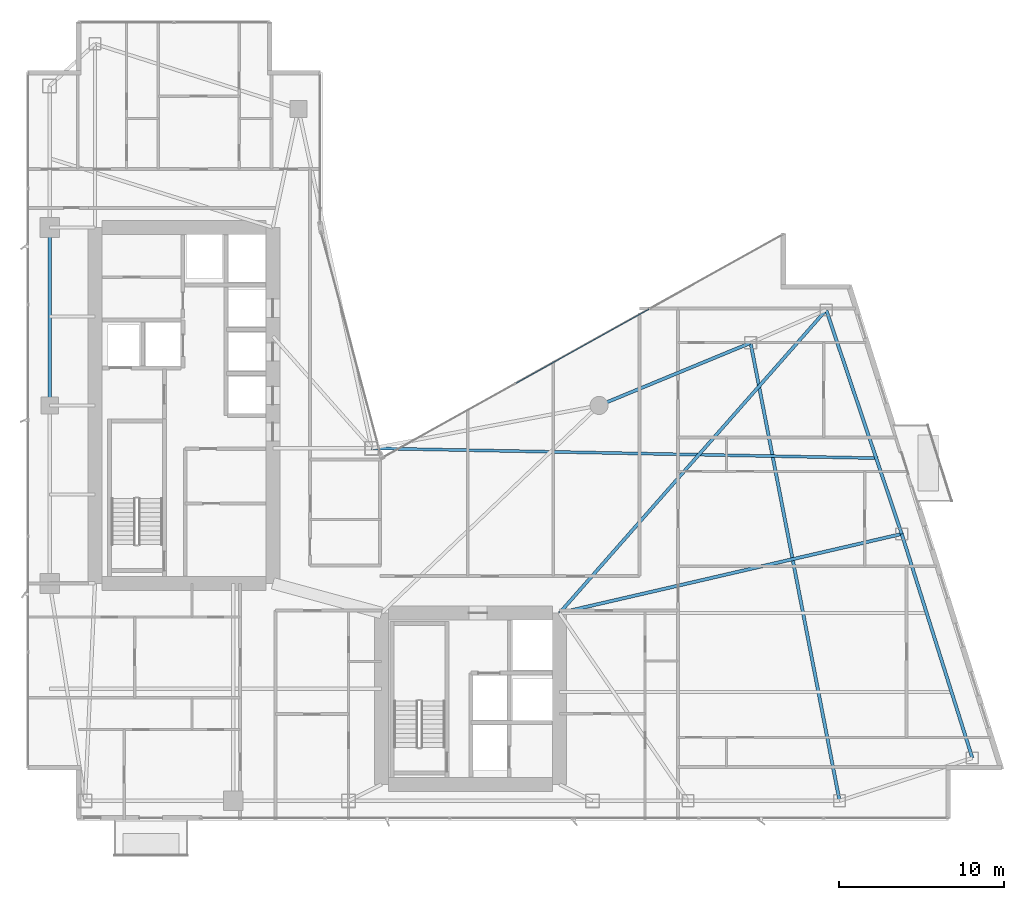
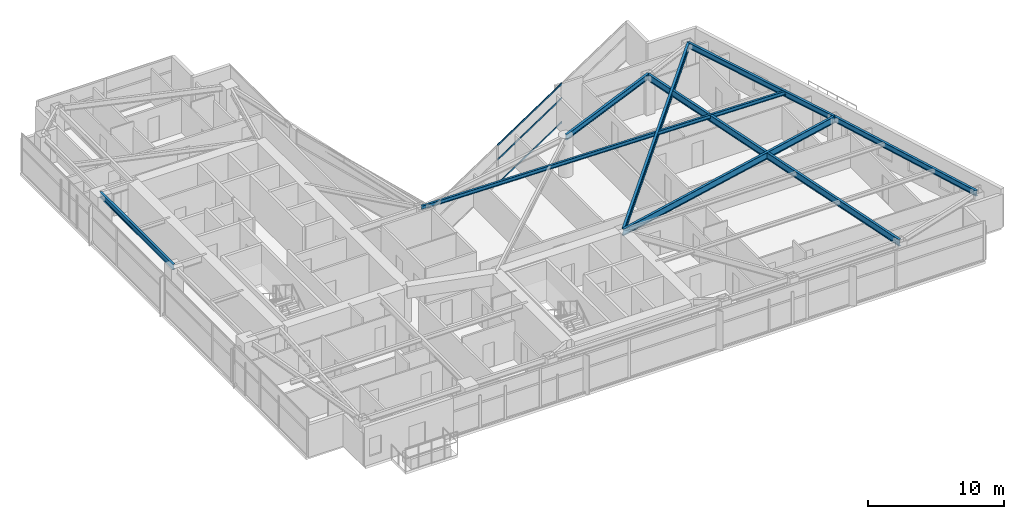
# One storey, part 15 of 28: 8 beams, 3 members, 1 element without a shape of its own.
"""IFC4 building model written with IfcOpenShell, lengths in metres."""

import ifcopenshell
import ifcopenshell.guid

model = None  # the IFC model being written
_history = None  # IfcOwnerHistory: only IFC2X3 demands one
_inside = {}  # id of a spatial element -> (the spatial element, [elements in it])
_under = {}  # id of a project, library or spatial element -> (it, [spatial elements below it])
_declared = {}  # id of a project -> (the project, [libraries it declares])
_typed = {}  # id of a type object -> (the type object, [elements of that type])
_made_of = {}  # id of a material, layer set ... -> (it, [elements and type objects made of it])


def new_model(schema):
    """Start an empty IFC model of exactly this schema.

    Asked for "IFC4X3", IfcOpenShell would pick the latest addendum, in which some entities
    have other attributes; the version numbers below select the first issue.
    IFC2X3 requires an IfcOwnerHistory on every rooted entity: one is made here for all.
    """
    global model, _history
    if schema == "IFC4X3":
        model = ifcopenshell.file(schema_version=(4, 3, 0, 0))
    else:
        model = ifcopenshell.file(schema=schema)
    _inside.clear()
    _under.clear()
    _declared.clear()
    _typed.clear()
    _made_of.clear()
    _history = None
    if model.schema == "IFC2X3":
        org = make("IfcOrganization", Name="unknown")
        user = make(
            "IfcPersonAndOrganization",
            ThePerson=make("IfcPerson", FamilyName="unknown"),
            TheOrganization=org,
        )
        app = make(
            "IfcApplication",
            ApplicationDeveloper=org,
            Version="unknown",
            ApplicationFullName="unknown",
            ApplicationIdentifier="unknown",
        )
        _history = make(
            "IfcOwnerHistory",
            OwningUser=user,
            OwningApplication=app,
            ChangeAction="ADDED",
            CreationDate=0,
        )
    return model


def make(cls, **values):
    """One entity of the class cls with the attributes given. An attribute that is None is left unset."""
    return model.create_entity(
        cls, **{name: value for name, value in values.items() if value is not None}
    )


def rooted(cls, **values):
    """An entity with a GlobalId (a new one), such as an element, a storey or a relation."""
    return make(cls, GlobalId=ifcopenshell.guid.new(), OwnerHistory=_history, **values)


def si_unit(unit_type, name, prefix=None):
    """IfcSIUnit, for example si_unit("LENGTHUNIT", "METRE", prefix="MILLI")."""
    return make("IfcSIUnit", UnitType=unit_type, Prefix=prefix, Name=name)


def assignment(units):
    """IfcUnitAssignment: the units of a project."""
    return None if units is None else make("IfcUnitAssignment", Units=units)


def point(xyz):
    """IfcCartesianPoint."""
    return None if xyz is None else make("IfcCartesianPoint", Coordinates=xyz)


def direction(xyz):
    """IfcDirection."""
    return None if xyz is None else make("IfcDirection", DirectionRatios=xyz)


def frame(location, z_axis=None, x_axis=None):
    """IfcAxis2Placement3D, a coordinate frame: its origin and axes. An axis left out is left unset."""
    return make(
        "IfcAxis2Placement3D",
        Location=point(location),
        Axis=direction(z_axis),
        RefDirection=direction(x_axis),
    )


def frame_2d(location, x_axis=None):
    """IfcAxis2Placement2D, a coordinate frame in the plane: its origin and x axis."""
    return make(
        "IfcAxis2Placement2D", Location=point(location), RefDirection=direction(x_axis)
    )


def origin():
    """The frame at (0, 0, 0) with its axes left unset."""
    return frame((0.0, 0.0, 0.0))


def origin_2d():
    """The frame at (0, 0) in the plane with its x axis left unset."""
    return frame_2d((0.0, 0.0))


def place(relative_to, where):
    """IfcLocalPlacement: puts the frame where relative to a parent placement (None: the world)."""
    return make(
        "IfcLocalPlacement", PlacementRelTo=relative_to, RelativePlacement=where
    )


def context(
    kind, dimensions, precision=None, world=None, true_north=None, identifier=None
):
    """IfcGeometricRepresentationContext, for example the 3D "Model" context."""
    return make(
        "IfcGeometricRepresentationContext",
        ContextIdentifier=identifier,
        ContextType=kind,
        CoordinateSpaceDimension=dimensions,
        Precision=precision,
        WorldCoordinateSystem=world,
        TrueNorth=true_north,
    )


def subcontext(parent, identifier, kind, view, scale=None):
    """IfcGeometricRepresentationSubContext, for example "Body" below "Model"."""
    return make(
        "IfcGeometricRepresentationSubContext",
        ContextIdentifier=identifier,
        ContextType=kind,
        ParentContext=parent,
        TargetScale=scale,
        TargetView=view,
    )


def project(units=None, contexts=None):
    """IfcProject with its units and contexts."""
    return rooted(
        "IfcProject",
        Name="project",
        RepresentationContexts=contexts,
        UnitsInContext=assignment(units),
    )


def spatial(cls, under=None, at=None, **own):
    """A site, building, storey or space (cls), placed at a placement, below another one or the project."""
    s = rooted(cls, ObjectPlacement=at, **own)
    if under is not None:
        _under.setdefault(under.id(), (under, []))[1].append(s)
    return s


def profile(cls, at=None, kind="AREA", **sizes):
    """A parametric profile (cls). Its sizes go by their IFC names, for example OverallWidth=200.0."""
    return make(cls, ProfileType=kind, Position=at, **sizes)


def hollow_rectangle(**sizes):
    """IfcRectangleHollowProfileDef."""
    return profile("IfcRectangleHollowProfileDef", **sizes)


def i_section(**sizes):
    """IfcIShapeProfileDef."""
    return profile("IfcIShapeProfileDef", **sizes)


def extrude(swept, where, along, depth):
    """IfcExtrudedAreaSolid: the profile swept, set in the frame where, extruded along a direction by depth."""
    return make(
        "IfcExtrudedAreaSolid",
        SweptArea=swept,
        Position=where,
        ExtrudedDirection=direction(along),
        Depth=depth,
    )


def shape(context_of_items, identifier, shape_type, items):
    """IfcShapeRepresentation: the items that make up one representation, for example the "Body"."""
    return make(
        "IfcShapeRepresentation",
        ContextOfItems=context_of_items,
        RepresentationIdentifier=identifier,
        RepresentationType=shape_type,
        Items=items,
    )


def material(Name=None, Category=None):
    """IfcMaterial."""
    return make("IfcMaterial", Name=Name, Category=Category)


def layer(
    of_material, thickness, ventilated=None, Name=None, Category=None, Priority=None
):
    """IfcMaterialLayer: one layer of a wall or slab, of a material (None: an air gap)."""
    return make(
        "IfcMaterialLayer",
        Material=of_material,
        LayerThickness=thickness,
        IsVentilated=ventilated,
        Name=Name,
        Category=Category,
        Priority=Priority,
    )


def layer_set(layers, Name=None):
    """IfcMaterialLayerSet."""
    return make("IfcMaterialLayerSet", MaterialLayers=layers, LayerSetName=Name)


def material_profile(
    of_material, cross_section, Name=None, Category=None, Priority=None
):
    """IfcMaterialProfile: a cross section and its material."""
    return make(
        "IfcMaterialProfile",
        Name=Name,
        Material=of_material,
        Profile=cross_section,
        Priority=Priority,
        Category=Category,
    )


def profile_set(profiles, Name=None, composite=None):
    """IfcMaterialProfileSet."""
    return make(
        "IfcMaterialProfileSet",
        Name=Name,
        MaterialProfiles=profiles,
        CompositeProfile=composite,
    )


def made_of(thing, what):
    """Note that an element or type object is made of a material, layer set ...; save() writes the relation."""
    if what is not None:
        _made_of.setdefault(what.id(), (what, []))[1].append(thing)
    return thing


def type_object(cls, material=None, **own):
    """A type object (cls), such as IfcWallType, which elements share."""
    return made_of(rooted(cls, **own), material)


def element(
    cls,
    number,
    at=None,
    inside=None,
    cuts=None,
    type_object=None,
    material=None,
    context=None,
    identifier="Body",
    shape_type=None,
    held_by="IfcProductDefinitionShape",
    body=None,
    shapes=None,
    **own,
):
    """One element of the class cls, such as IfcWall. Its Tag is "e" and its number.

    at: its placement. inside: the storey or other place that contains it. cuts: it is an
    opening in that element (IfcRelVoidsElement). A single representation is given by context,
    identifier, shape_type and body (its items); several are given by shapes. held_by: the class
    of the entity that holds the representations. save() writes the other relations.
    """
    e = rooted(cls, Tag="e%d" % number, ObjectPlacement=at, **own)
    if body is not None:
        shapes = [shape(context, identifier, shape_type, body)]
    if shapes is not None:
        e.Representation = make(held_by, Representations=shapes)
    if inside is not None:
        _inside.setdefault(inside.id(), (inside, []))[1].append(e)
    if cuts is not None:
        rooted(
            "IfcRelVoidsElement", RelatingBuildingElement=cuts, RelatedOpeningElement=e
        )
    if type_object is not None:
        _typed.setdefault(type_object.id(), (type_object, []))[1].append(e)
    return made_of(e, material)


def aggregate(whole, parts):
    """IfcRelAggregates: a whole, such as a stair, and the parts it consists of."""
    return rooted("IfcRelAggregates", RelatingObject=whole, RelatedObjects=parts)


def save(model, path):
    """Write the relations noted so far, then the file.

    IfcRelAggregates (storeys below a building ...), IfcRelContainedInSpatialStructure (elements
    in a storey), IfcRelDefinesByType, IfcRelAssociatesMaterial and IfcRelDeclares: one each for
    every whole, place, type object, material and project.
    """
    for whole, parts in _under.values():
        aggregate(whole, parts)
    for where, things in _inside.values():
        rooted(
            "IfcRelContainedInSpatialStructure",
            RelatedElements=things,
            RelatingStructure=where,
        )
    for kind, things in _typed.values():
        rooted("IfcRelDefinesByType", RelatedObjects=things, RelatingType=kind)
    for what, things in _made_of.values():
        rooted("IfcRelAssociatesMaterial", RelatedObjects=things, RelatingMaterial=what)
    for by, libraries in _declared.values():
        rooted("IfcRelDeclares", RelatingContext=by, RelatedDefinitions=libraries)
    model.write(path)


model = new_model("IFC4")

# Units and contexts
model_context = context("Model", 3, precision=1e-05, world=origin(), true_north=direction((0.0, 1.0)))
body_context = subcontext(model_context, "Body", "Model", "MODEL_VIEW")
ifc_project = project(units=[si_unit("LENGTHUNIT", "METRE"), si_unit("AREAUNIT", "SQUARE_METRE"), si_unit("VOLUMEUNIT", "CUBIC_METRE"), si_unit("PLANEANGLEUNIT", "RADIAN"), si_unit("MASSUNIT", "GRAM", prefix="KILO")], contexts=[model_context])

# Site, building, storey
site_placement = place(None, origin())
site = spatial("IfcSite", under=ifc_project, at=site_placement, CompositionType="ELEMENT")
building_placement = place(site_placement, origin())
building = spatial("IfcBuilding", under=site, at=building_placement, Name="Calvorn Quay Hotel", CompositionType="ELEMENT")
storey_placement = place(building_placement, frame((0.0, 0.0, 182.699951171875)))
storey = spatial("IfcBuildingStorey", under=building, at=storey_placement, Name="L45", CompositionType="ELEMENT", Elevation=182.699951171875)

# Beams
ifc_material_1 = material(Name="Steel Q355B", Category="steel")
ifc_material_profile_1 = material_profile(ifc_material_1, i_section(OverallWidth=0.199951171875, OverallDepth=0.60009765625, WebThickness=0.010986328125, FlangeThickness=0.01708984375, FilletRadius=0.01806640625, at=origin_2d()), Name="HN600x200x11x17")
ifc_profile_set_1 = profile_set([ifc_material_profile_1], Name="Steel Q355B")
beam_type_1 = type_object("IfcBeamType", Name="BM-GIRD-TYP", PredefinedType="BEAM", material=ifc_profile_set_1)
beam_1_placement = place(storey_placement, frame((32.39990234375, 15.0, 3.219970703125), z_axis=(0.974334045812, 0.225107012711, 0.0), x_axis=(-0.225107012711, 0.974334045812, 0.0)))
element("IfcBeam", 1, at=beam_1_placement, inside=storey, type_object=beam_type_1, Name="Beam BG-L45-E2", PredefinedType="BEAM", context=body_context, shape_type="SweptSolid", body=[
    extrude(i_section(OverallWidth=0.199951171875, OverallDepth=0.60009765625, WebThickness=0.010986328125, FlangeThickness=0.01708984375, FilletRadius=0.01806640625, at=origin_2d()), origin(), (0.0, 0.0, 1.0), 21.323486328125),
])
beam_2_placement = place(storey_placement, frame((32.39990234375, 15.0, 3.219970703125), z_axis=(0.660610604248, 0.750728732336, 0.0), x_axis=(-0.750728732336, 0.660610604248, 0.0)))
element("IfcBeam", 2, at=beam_2_placement, inside=storey, type_object=beam_type_1, Name="Beam BG-L45-E3", PredefinedType="BEAM", context=body_context, shape_type="SweptSolid", body=[
    extrude(i_section(OverallWidth=0.199951171875, OverallDepth=0.60009765625, WebThickness=0.010986328125, FlangeThickness=0.01708984375, FilletRadius=0.01806640625, at=origin_2d()), origin(), (0.0, 0.0, 1.0), 24.50927734375),
])
beam_3_placement = place(storey_placement, frame((49.39990234375, 3.60009765625, 3.219970703125), z_axis=(-0.190678596862, 0.981652521363, 0.0), x_axis=(-0.981652521363, -0.190678596862, 0.0)))
element("IfcBeam", 3, at=beam_3_placement, inside=storey, type_object=beam_type_1, Name="Beam BG-L45-E5", PredefinedType="BEAM", context=body_context, shape_type="SweptSolid", body=[
    extrude(i_section(OverallWidth=0.199951171875, OverallDepth=0.60009765625, WebThickness=0.010986328125, FlangeThickness=0.01708984375, FilletRadius=0.01806640625, at=origin_2d()), origin(), (0.0, 0.0, 1.0), 28.3193359375),
])
ifc_material_2 = material(Name="Steel Q355B", Category="steel")
ifc_material_profile_2 = material_profile(ifc_material_2, i_section(OverallWidth=0.175048828125, OverallDepth=0.35009765625, WebThickness=0.007080078125, FlangeThickness=0.010986328125, FilletRadius=0.013916015625, at=origin_2d()), Name="HN350x175x7x11")
ifc_profile_set_2 = profile_set([ifc_material_profile_2], Name="Steel Q355B")
beam_type_2 = type_object("IfcBeamType", Name="BM-JOIST-SEC", PredefinedType="JOIST", material=ifc_profile_set_2)
beam_4_placement = place(storey_placement, frame((21.0, 25.0, 3.344970703125), z_axis=(0.999809345134, -0.019526222968, 0.0), x_axis=(0.019526222968, 0.999809345134, 0.0)))
element("IfcBeam", 4, at=beam_4_placement, inside=storey, type_object=beam_type_2, Name="Beam BJ-L45-E3", PredefinedType="JOIST", context=body_context, shape_type="SweptSolid", body=[
    extrude(i_section(OverallWidth=0.175048828125, OverallDepth=0.35009765625, WebThickness=0.007080078125, FlangeThickness=0.010986328125, FilletRadius=0.013916015625, at=origin_2d()), origin(), (0.0, 0.0, 1.0), 30.73291015625),
])
ifc_material_3 = material(Name="Steel Q355B", Category="steel")
ifc_material_profile_3 = material_profile(ifc_material_3, i_section(OverallWidth=0.199951171875, OverallDepth=0.5, WebThickness=0.010009765625, FlangeThickness=0.01611328125, FilletRadius=0.01611328125, at=origin_2d()), Name="HN500x200x10x16")
ifc_profile_set_3 = profile_set([ifc_material_profile_3], Name="Steel Q355B")
beam_type_3 = type_object("IfcBeamType", Name="BM-SPANDREL-Z1", PredefinedType="SPANDREL", material=ifc_profile_set_3)
beam_5_placement = place(storey_placement, frame((1.449951171875, 27.60009765625, 3.27001953125), z_axis=(0.0, 1.0, 0.0), x_axis=(-1.0, 0.0, 0.0)))
element("IfcBeam", 5, at=beam_5_placement, inside=storey, type_object=beam_type_3, Name="Beam BSP-L45-W3", PredefinedType="SPANDREL", context=body_context, shape_type="SweptSolid", body=[
    extrude(i_section(OverallWidth=0.199951171875, OverallDepth=0.5, WebThickness=0.010009765625, FlangeThickness=0.01611328125, FilletRadius=0.01611328125, at=origin_2d()), origin(), (0.0, 0.0, 1.0), 10.7998046875),
])
beam_6_placement = place(storey_placement, frame((57.4609375, 6.199951171875, 3.27001953125), z_axis=(-0.300502802767, 0.953780931624, 0.0), x_axis=(-0.953780931624, -0.300502802767, 0.0)))
element("IfcBeam", 6, at=beam_6_placement, inside=storey, type_object=beam_type_3, Name="Beam BSP-L45-E1", PredefinedType="SPANDREL", context=body_context, shape_type="SweptSolid", body=[
    extrude(i_section(OverallWidth=0.199951171875, OverallDepth=0.5, WebThickness=0.010009765625, FlangeThickness=0.01611328125, FilletRadius=0.01611328125, at=origin_2d()), origin(), (0.0, 0.0, 1.0), 14.259033203125),
])
beam_7_placement = place(storey_placement, frame((53.176025390625, 19.800048828125, 3.27001953125), z_axis=(-0.319466515944, 0.947597564998, 0.0), x_axis=(-0.947597564998, -0.319466515944, 0.0)))
element("IfcBeam", 7, at=beam_7_placement, inside=storey, type_object=beam_type_3, Name="Beam BSP-L45-E2", PredefinedType="SPANDREL", context=body_context, shape_type="SweptSolid", body=[
    extrude(i_section(OverallWidth=0.199951171875, OverallDepth=0.5, WebThickness=0.010009765625, FlangeThickness=0.01611328125, FilletRadius=0.01611328125, at=origin_2d()), origin(), (0.0, 0.0, 1.0), 14.35205078125),
])
beam_8_placement = place(storey_placement, frame((44.0, 31.39990234375, 3.27001953125), z_axis=(-0.92426763497, -0.381745123017, 0.0), x_axis=(0.381745123017, -0.92426763497, 0.0)))
element("IfcBeam", 8, at=beam_8_placement, inside=storey, type_object=beam_type_3, Name="Beam BSP-L45-E4", PredefinedType="SPANDREL", context=body_context, shape_type="SweptSolid", body=[
    extrude(i_section(OverallWidth=0.199951171875, OverallDepth=0.5, WebThickness=0.010009765625, FlangeThickness=0.01611328125, FilletRadius=0.01611328125, at=origin_2d()), origin(), (0.0, 0.0, 1.0), 9.953857421875),
])

# Curtain wall, members
ifc_material_4 = material(Name="Pale Anodised Aluminium and Low-E Glass", Category="aluminium")
ifc_layer = layer(ifc_material_4, 0.219970703125)
ifc_layer_set = layer_set([ifc_layer], Name="CW-SYS-Z2")
curtain_wall_type = type_object("IfcCurtainWallType", Name="CW-SYS-Z2", PredefinedType="NOTDEFINED", material=ifc_layer_set)
curtain_wall_placement = place(storey_placement, origin())
curtain_wall = element("IfcCurtainWall", 9, at=curtain_wall_placement, inside=storey, type_object=curtain_wall_type, Name="Inner Court Curtain Wall L45-NE1", PredefinedType="NOTDEFINED")
ifc_material_5 = material(Name="Pale Anodised Aluminium 6063-T6", Category="aluminium")
ifc_material_profile_4 = material_profile(ifc_material_5, hollow_rectangle(XDim=0.06005859375, YDim=0.14990234375, WallThickness=0.00341796875, at=origin_2d()), Name="ALU-T150x60x3.5")
ifc_profile_set_4 = profile_set([ifc_material_profile_4], Name="Pale Anodised Aluminium 6063-T6")
member_type = type_object("IfcMemberType", Name="CW-SYS-Z2-TRN", PredefinedType="USERDEFINED", material=ifc_profile_set_4)
member_1_placement = place(storey_placement, frame((37.840576171875, 33.4521484375, 0.030029296875), z_axis=(-0.873483012802, -0.486854625474, 0.0), x_axis=(0.486854625474, -0.873483012802, 0.0)))
member_1 = element("IfcMember", 10, at=member_1_placement, type_object=member_type, Name="CW-L45-NE1 transom 2.1", ObjectType="TRANSOM", PredefinedType="USERDEFINED", context=body_context, shape_type="SweptSolid", body=[
    extrude(hollow_rectangle(XDim=0.06005859375, YDim=0.14990234375, WallThickness=0.00341796875, at=origin_2d()), origin(), (0.0, 0.0, 1.0), 9.25146484375),
])
member_2_placement = place(storey_placement, frame((37.840576171875, 33.4521484375, 2.199951171875), z_axis=(-0.873483012802, -0.486854625474, 0.0), x_axis=(0.486854625474, -0.873483012802, 0.0)))
member_2 = element("IfcMember", 11, at=member_2_placement, type_object=member_type, Name="CW-L45-NE1 transom 2.2", ObjectType="TRANSOM", PredefinedType="USERDEFINED", context=body_context, shape_type="SweptSolid", body=[
    extrude(hollow_rectangle(XDim=0.06005859375, YDim=0.14990234375, WallThickness=0.00341796875, at=origin_2d()), origin(), (0.0, 0.0, 1.0), 9.25146484375),
])
member_3_placement = place(storey_placement, frame((37.840576171875, 33.4521484375, 3.489990234375), z_axis=(-0.873483012802, -0.486854625474, 0.0), x_axis=(0.486854625474, -0.873483012802, 0.0)))
member_3 = element("IfcMember", 12, at=member_3_placement, type_object=member_type, Name="CW-L45-NE1 transom 2.3", ObjectType="TRANSOM", PredefinedType="USERDEFINED", context=body_context, shape_type="SweptSolid", body=[
    extrude(hollow_rectangle(XDim=0.06005859375, YDim=0.14990234375, WallThickness=0.00341796875, at=origin_2d()), origin(), (0.0, 0.0, 1.0), 9.25146484375),
])
aggregate(curtain_wall, [member_1, member_2, member_3])

save(model, "model.ifc")
